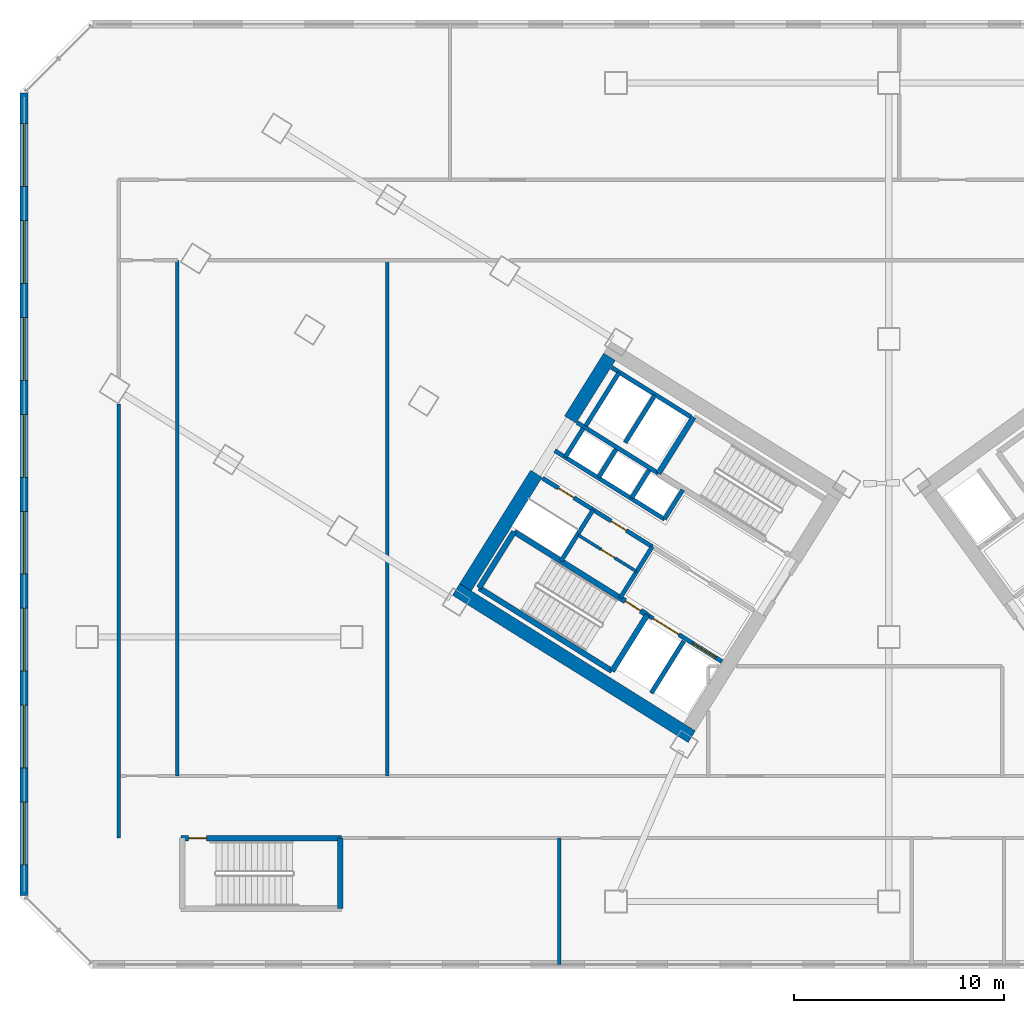
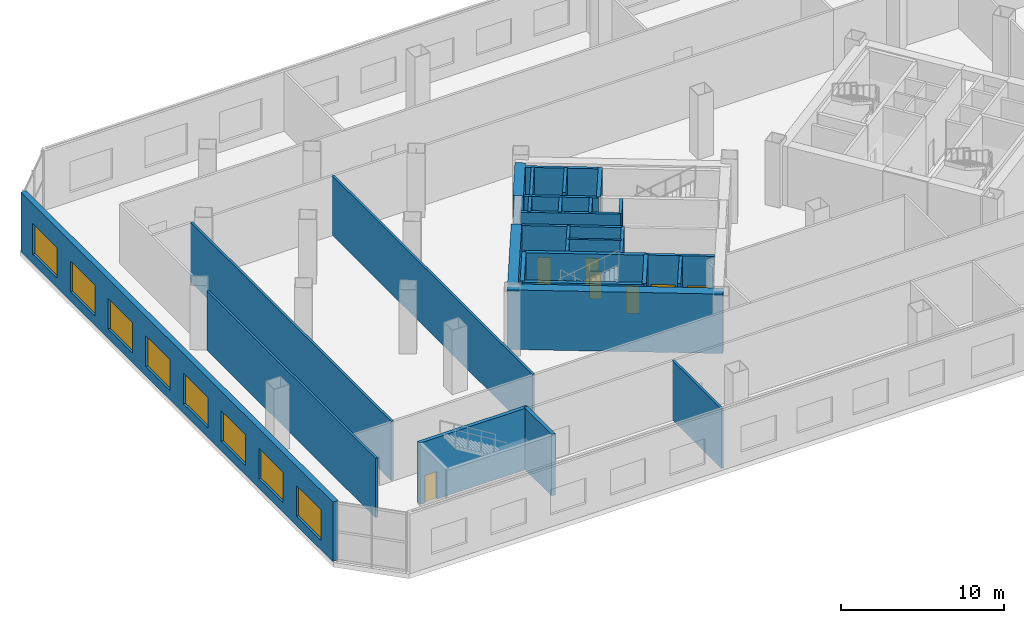
# One storey, part 10 of 22: 30 walls, 8 windows, 7 doors, 15 openings.
"""IFC4 building model written with IfcOpenShell, lengths in metres."""

from ifc_helpers import new_model, si_unit, direction, frame, frame_2d, origin, place, context, subcontext, project, spatial, rectangle, extrude, source, transform, mapped, material, layer, layer_set, type_object, element, fill, save


model = new_model("IFC4")

# Units and contexts
model_context = context("Model", 3, precision=1e-05, world=origin(), true_north=direction((0.0, 1.0)))
body_context = subcontext(model_context, "Body", "Model", "MODEL_VIEW")
ifc_project = project(units=[si_unit("LENGTHUNIT", "METRE"), si_unit("AREAUNIT", "SQUARE_METRE"), si_unit("VOLUMEUNIT", "CUBIC_METRE"), si_unit("PLANEANGLEUNIT", "RADIAN"), si_unit("MASSUNIT", "GRAM", prefix="KILO")], contexts=[model_context])

# Site, building, storey
site_placement = place(None, origin())
site = spatial("IfcSite", under=ifc_project, at=site_placement, CompositionType="ELEMENT")
building_placement = place(site_placement, origin())
building = spatial("IfcBuilding", under=site, at=building_placement, Name="Tlacorven Tower", CompositionType="ELEMENT")
storey_placement = place(building_placement, frame((0.0, 0.0, 5.39990234375)))
storey = spatial("IfcBuildingStorey", under=building, at=storey_placement, Name="L01", CompositionType="ELEMENT", Elevation=5.39990234375)

# Walls
ifc_material_1 = material(Name="Concrete C60/75", Category="concrete")
ifc_layer_1 = layer(ifc_material_1, 0.64990234375)
ifc_layer_set_1 = layer_set([ifc_layer_1], Name="Concrete C60/75")
wall_type_1 = type_object("IfcWallType", Name="WL-COR-650", PredefinedType="SHEAR", material=ifc_layer_set_1)
wall_1_placement = place(storey_placement, frame((33.40869140625, 12.449951171875, 0.0), z_axis=(0.0, 0.0, 1.0), x_axis=(-0.848051132073, 0.529914405721, 0.0)))
element("IfcWall", 1, at=wall_1_placement, inside=storey, type_object=wall_type_1, Name="L01 W core shear wall S2", PredefinedType="SHEAR", context=body_context, shape_type="SweptSolid", body=[
    extrude(rectangle(XDim=13.239990234375, YDim=0.64990234375, at=frame_2d((6.6201171875, 0.0))), origin(), (0.0, 0.0, 1.0), 4.4501953125),
])
wall_2_placement = place(storey_placement, frame((29.49072265625, 30.5517578125, 0.0), z_axis=(0.0, 0.0, 1.0), x_axis=(-0.529893103397, -0.8480644427, 0.0)))
element("IfcWall", 2, at=wall_2_placement, inside=storey, type_object=wall_type_1, Name="L01 W core end wall E2.1", PredefinedType="SHEAR", context=body_context, shape_type="SweptSolid", body=[
    extrude(rectangle(XDim=3.525146484375, YDim=0.64990234375, at=frame_2d((1.7626953125, 0.0))), origin(), (0.0, 0.0, 1.0), 4.4501953125),
])
wall_3_placement = place(storey_placement, frame((26.006591796875, 24.975830078125, 0.0), z_axis=(0.0, 0.0, 1.0), x_axis=(-0.529916319127, -0.848049936456, 0.0)))
element("IfcWall", 3, at=wall_3_placement, inside=storey, type_object=wall_type_1, Name="L01 W core end wall E2.2", PredefinedType="SHEAR", context=body_context, shape_type="SweptSolid", body=[
    extrude(rectangle(XDim=6.375, YDim=0.64990234375, at=frame_2d((3.1875, 0.0))), origin(), (0.0, 0.0, 1.0), 4.4501953125),
])
ifc_material_2 = material(Name="Gypsum plasterboard acoustic partition", Category="gypsum")
ifc_layer_2 = layer(ifc_material_2, 0.159912109375)
ifc_layer_set_2 = layer_set([ifc_layer_2], Name="Gypsum plasterboard acoustic partition")
wall_type_2 = type_object("IfcWallType", Name="WL-DEM-160", PredefinedType="PARTITIONING", material=ifc_layer_set_2)
wall_4_placement = place(storey_placement, frame((27.090087890625, 1.60009765625, 0.0), z_axis=(0.0, 0.0, 1.0), x_axis=(0.0, 1.0, 0.0)))
element("IfcWall", 4, at=wall_4_placement, inside=storey, type_object=wall_type_2, Name="L01 partition 70", PredefinedType="PARTITIONING", context=body_context, shape_type="SweptSolid", body=[
    extrude(rectangle(XDim=6.02001953125, YDim=0.159912109375, at=frame_2d((3.010009765625, 0.0))), origin(), (0.0, 0.0, 1.0), 4.440185546875),
])
wall_5_placement = place(storey_placement, frame((6.10009765625, 7.6201171875, 0.0), z_axis=(0.0, 0.0, 1.0), x_axis=(0.0, 1.0, 0.0)))
element("IfcWall", 5, at=wall_5_placement, inside=storey, type_object=wall_type_2, Name="L01 partition 74", PredefinedType="PARTITIONING", context=body_context, shape_type="SweptSolid", body=[
    extrude(rectangle(XDim=20.688720703125, YDim=0.159912109375, at=frame_2d((10.34423828125, 0.0))), origin(), (0.0, 0.0, 1.0), 4.440185546875),
])
for number, where, z_axis, x_axis, name in (
    (6, (8.89990234375, 10.580078125, 0.0), (0.0, 0.0, 1.0), (0.0, 1.0, 0.0), "L01 partition 75"),
    (7, (18.89990234375, 10.580078125, 0.0), (0.0, 0.0, 1.0), (0.0, 1.0, 0.0), "L01 partition 82"),
):
    element("IfcWall", number, at=place(storey_placement, frame(where, z_axis=z_axis, x_axis=x_axis)), inside=storey, type_object=wall_type_2, Name=name, PredefinedType="PARTITIONING", context=body_context, shape_type="SweptSolid", body=[
        extrude(rectangle(XDim=24.56982421875, YDim=0.159912109375, at=frame_2d((12.284912109375, 0.0))), origin(), (0.0, 0.0, 1.0), 4.440185546875),
    ])

# Wall, openings, windows
ifc_material_3 = material(Name="Precast concrete C45/55", Category="concrete")
ifc_layer_3 = layer(ifc_material_3, 0.3798828125)
ifc_layer_set_3 = layer_set([ifc_layer_3], Name="Precast concrete C45/55")
wall_type_3 = type_object("IfcWallType", Name="WL-EXT-380", PredefinedType="STANDARD", material=ifc_layer_set_3)
wall_6_placement = place(storey_placement, frame((1.60009765625, 4.8828125, 0.0), z_axis=(0.0, 0.0, 1.0), x_axis=(0.0, 1.0, 0.0)))
wall_6 = element("IfcWall", 8, at=wall_6_placement, inside=storey, type_object=wall_type_3, Name="L01 Podium Masonry-Frame Facade Wall 2", PredefinedType="STANDARD", context=body_context, shape_type="SweptSolid", body=[
    extrude(rectangle(XDim=38.234375, YDim=0.3798828125, at=frame_2d((19.1171875, 0.0))), origin(), (0.0, 0.0, 1.0), 4.4501953125),
])
opening_1_placement = place(wall_6_placement, frame((1.45849609375, 0.0, 0.699951171875)))
opening_1 = element("IfcOpeningElement", 9, at=opening_1_placement, cuts=wall_6, Name="Opening WN17", PredefinedType="OPENING", context=body_context, shape_type="SweptSolid", body=[
    extrude(rectangle(XDim=3.0, YDim=2.300048828125, at=frame_2d((1.5, 1.14990234375))), frame((0.0, 0.199951171875, 0.0), z_axis=(0.0, -1.0, 0.0), x_axis=(1.0, 0.0, 0.0)), (0.0, 0.0, 1.0), 0.39990234375),
])
opening_2_placement = place(wall_6_placement, frame((6.0751953125, 0.0, 0.699951171875)))
opening_2 = element("IfcOpeningElement", 10, at=opening_2_placement, cuts=wall_6, Name="Opening WN17", PredefinedType="OPENING", context=body_context, shape_type="SweptSolid", body=[
    extrude(rectangle(XDim=3.0, YDim=2.300048828125, at=frame_2d((1.5, 1.14990234375))), frame((0.0, 0.199951171875, 0.0), z_axis=(0.0, -1.0, 0.0), x_axis=(1.0, 0.0, 0.0)), (0.0, 0.0, 1.0), 0.39990234375),
])
opening_3_placement = place(wall_6_placement, frame((10.69189453125, 0.0, 0.699951171875)))
opening_3 = element("IfcOpeningElement", 11, at=opening_3_placement, cuts=wall_6, Name="Opening WN17", PredefinedType="OPENING", context=body_context, shape_type="SweptSolid", body=[
    extrude(rectangle(XDim=3.0, YDim=2.300048828125, at=frame_2d((1.5, 1.14990234375))), frame((0.0, 0.199951171875, 0.0), z_axis=(0.0, -1.0, 0.0), x_axis=(1.0, 0.0, 0.0)), (0.0, 0.0, 1.0), 0.39990234375),
])
opening_4_placement = place(wall_6_placement, frame((15.308837890625, 0.0, 0.699951171875)))
opening_4 = element("IfcOpeningElement", 12, at=opening_4_placement, cuts=wall_6, Name="Opening WN17", PredefinedType="OPENING", context=body_context, shape_type="SweptSolid", body=[
    extrude(rectangle(XDim=3.0, YDim=2.300048828125, at=frame_2d((1.5, 1.14990234375))), frame((0.0, 0.199951171875, 0.0), z_axis=(0.0, -1.0, 0.0), x_axis=(1.0, 0.0, 0.0)), (0.0, 0.0, 1.0), 0.39990234375),
])
opening_5_placement = place(wall_6_placement, frame((19.925537109375, 0.0, 0.699951171875)))
opening_5 = element("IfcOpeningElement", 13, at=opening_5_placement, cuts=wall_6, Name="Opening WN17", PredefinedType="OPENING", context=body_context, shape_type="SweptSolid", body=[
    extrude(rectangle(XDim=3.0, YDim=2.300048828125, at=frame_2d((1.5, 1.14990234375))), frame((0.0, 0.199951171875, 0.0), z_axis=(0.0, -1.0, 0.0), x_axis=(1.0, 0.0, 0.0)), (0.0, 0.0, 1.0), 0.39990234375),
])
opening_6_placement = place(wall_6_placement, frame((24.542236328125, 0.0, 0.699951171875)))
opening_6 = element("IfcOpeningElement", 14, at=opening_6_placement, cuts=wall_6, Name="Opening WN17", PredefinedType="OPENING", context=body_context, shape_type="SweptSolid", body=[
    extrude(rectangle(XDim=3.0, YDim=2.300048828125, at=frame_2d((1.5, 1.14990234375))), frame((0.0, 0.199951171875, 0.0), z_axis=(0.0, -1.0, 0.0), x_axis=(1.0, 0.0, 0.0)), (0.0, 0.0, 1.0), 0.39990234375),
])
opening_7_placement = place(wall_6_placement, frame((29.1591796875, 0.0, 0.699951171875)))
opening_7 = element("IfcOpeningElement", 15, at=opening_7_placement, cuts=wall_6, Name="Opening WN17", PredefinedType="OPENING", context=body_context, shape_type="SweptSolid", body=[
    extrude(rectangle(XDim=3.0, YDim=2.300048828125, at=frame_2d((1.5, 1.14990234375))), frame((0.0, 0.199951171875, 0.0), z_axis=(0.0, -1.0, 0.0), x_axis=(1.0, 0.0, 0.0)), (0.0, 0.0, 1.0), 0.39990234375),
])
opening_8_placement = place(wall_6_placement, frame((33.77587890625, 0.0, 0.699951171875)))
opening_8 = element("IfcOpeningElement", 16, at=opening_8_placement, cuts=wall_6, Name="Opening WN17", PredefinedType="OPENING", context=body_context, shape_type="SweptSolid", body=[
    extrude(rectangle(XDim=3.0, YDim=2.300048828125, at=frame_2d((1.5, 1.14990234375))), frame((0.0, 0.199951171875, 0.0), z_axis=(0.0, -1.0, 0.0), x_axis=(1.0, 0.0, 0.0)), (0.0, 0.0, 1.0), 0.39990234375),
])
ifc_material_4 = material(Name="Dark solar low-E double glazing in anodised aluminium frame", Category="aluminium")
window_type = type_object("IfcWindowType", Name="WN-STN-3000X2600", PartitioningType="SINGLE_PANEL", PredefinedType="WINDOW", material=ifc_material_4)
shared_shape_1 = source(origin(), body_context, "Body", "SweptSolid", [
    extrude(rectangle(XDim=3.0, YDim=2.300048828125, at=frame_2d((1.5, 1.14990234375))), frame((0.0, 0.030029296875, 0.0), z_axis=(0.0, -1.0, 0.0), x_axis=(1.0, 0.0, 0.0)), (0.0, 0.0, 1.0), 0.06005859375),
])
window_1_placement = place(opening_1_placement, origin())
window_1 = element("IfcWindow", 17, at=window_1_placement, inside=storey, type_object=window_type, Name="L01 Podium Recessed Facade Window 2.1", OverallHeight=2.300048828125, OverallWidth=3.0, PartitioningType="SINGLE_PANEL", PredefinedType="WINDOW", context=body_context, shape_type="MappedRepresentation", body=[
    mapped(shared_shape_1, transform((0.0, 0.0, 0.0), scale=1.0)),
])
fill(opening_1, window_1)
window_2_placement = place(opening_2_placement, origin())
window_2 = element("IfcWindow", 18, at=window_2_placement, inside=storey, type_object=window_type, Name="L01 Podium Recessed Facade Window 2.2", OverallHeight=2.300048828125, OverallWidth=3.0, PartitioningType="SINGLE_PANEL", PredefinedType="WINDOW", context=body_context, shape_type="MappedRepresentation", body=[
    mapped(shared_shape_1, transform((0.0, 0.0, 0.0), scale=1.0)),
])
fill(opening_2, window_2)
window_3_placement = place(opening_3_placement, origin())
window_3 = element("IfcWindow", 19, at=window_3_placement, inside=storey, type_object=window_type, Name="L01 Podium Recessed Facade Window 2.3", OverallHeight=2.300048828125, OverallWidth=3.0, PartitioningType="SINGLE_PANEL", PredefinedType="WINDOW", context=body_context, shape_type="MappedRepresentation", body=[
    mapped(shared_shape_1, transform((0.0, 0.0, 0.0), scale=1.0)),
])
fill(opening_3, window_3)
window_4_placement = place(opening_4_placement, origin())
window_4 = element("IfcWindow", 20, at=window_4_placement, inside=storey, type_object=window_type, Name="L01 Podium Recessed Facade Window 2.4", OverallHeight=2.300048828125, OverallWidth=3.0, PartitioningType="SINGLE_PANEL", PredefinedType="WINDOW", context=body_context, shape_type="MappedRepresentation", body=[
    mapped(shared_shape_1, transform((0.0, 0.0, 0.0), scale=1.0)),
])
fill(opening_4, window_4)
window_5_placement = place(opening_5_placement, origin())
window_5 = element("IfcWindow", 21, at=window_5_placement, inside=storey, type_object=window_type, Name="L01 Podium Recessed Facade Window 2.5", OverallHeight=2.300048828125, OverallWidth=3.0, PartitioningType="SINGLE_PANEL", PredefinedType="WINDOW", context=body_context, shape_type="MappedRepresentation", body=[
    mapped(shared_shape_1, transform((0.0, 0.0, 0.0), scale=1.0)),
])
fill(opening_5, window_5)
window_6_placement = place(opening_6_placement, origin())
window_6 = element("IfcWindow", 22, at=window_6_placement, inside=storey, type_object=window_type, Name="L01 Podium Recessed Facade Window 2.6", OverallHeight=2.300048828125, OverallWidth=3.0, PartitioningType="SINGLE_PANEL", PredefinedType="WINDOW", context=body_context, shape_type="MappedRepresentation", body=[
    mapped(shared_shape_1, transform((0.0, 0.0, 0.0), scale=1.0)),
])
fill(opening_6, window_6)
window_7_placement = place(opening_7_placement, origin())
window_7 = element("IfcWindow", 23, at=window_7_placement, inside=storey, type_object=window_type, Name="L01 Podium Recessed Facade Window 2.7", OverallHeight=2.300048828125, OverallWidth=3.0, PartitioningType="SINGLE_PANEL", PredefinedType="WINDOW", context=body_context, shape_type="MappedRepresentation", body=[
    mapped(shared_shape_1, transform((0.0, 0.0, 0.0), scale=1.0)),
])
fill(opening_7, window_7)
window_8_placement = place(opening_8_placement, origin())
window_8 = element("IfcWindow", 24, at=window_8_placement, inside=storey, type_object=window_type, Name="L01 Podium Recessed Facade Window 2.8", OverallHeight=2.300048828125, OverallWidth=3.0, PartitioningType="SINGLE_PANEL", PredefinedType="WINDOW", context=body_context, shape_type="MappedRepresentation", body=[
    mapped(shared_shape_1, transform((0.0, 0.0, 0.0), scale=1.0)),
])
fill(opening_8, window_8)

# Wall, opening, door
ifc_material_5 = material(Name="Moisture-resistant gypsum plumbing wall", Category="gypsum")
ifc_layer_4 = layer(ifc_material_5, 0.139892578125)
ifc_layer_set_4 = layer_set([ifc_layer_4], Name="Moisture-resistant gypsum plumbing wall")
wall_type_4 = type_object("IfcWallType", Name="WL-PLM-140", PredefinedType="PLUMBINGWALL", material=ifc_layer_set_4)
wall_7_placement = place(storey_placement, frame((30.766357421875, 20.3271484375, 0.0), z_axis=(0.0, 0.0, 1.0), x_axis=(-0.848052663127, 0.529911955482, 0.0)))
wall_7 = element("IfcWall", 25, at=wall_7_placement, inside=storey, type_object=wall_type_4, Name="L01 partition 26", PredefinedType="PLUMBINGWALL", context=body_context, shape_type="SweptSolid", body=[
    extrude(rectangle(XDim=3.27978515625, YDim=0.139892578125, at=frame_2d((1.639892578125, 0.0))), origin(), (0.0, 0.0, 1.0), 4.440185546875),
])
opening_9_placement = place(wall_7_placement, frame((1.199951171875, 0.0, 0.0)))
opening_9 = element("IfcOpeningElement", 26, at=opening_9_placement, cuts=wall_7, Name="Opening D22", PredefinedType="OPENING", context=body_context, shape_type="SweptSolid", body=[
    extrude(rectangle(XDim=0.780029296875, YDim=2.050048828125, at=frame_2d((0.39013671875, 1.02490234375))), frame((0.0, 0.080078125, 0.0), z_axis=(0.0, -1.0, 0.0), x_axis=(1.0, 0.0, 0.0)), (0.0, 0.0, 1.0), 0.159912109375),
])
ifc_material_6 = material(Name="Powder-coated aluminium and timber door", Category="wood")
door_type_1 = type_object("IfcDoorType", Name="DR-INT-WET-0780", OperationType="NOTDEFINED", PredefinedType="DOOR", material=ifc_material_6)
shared_shape_2 = source(origin(), body_context, "Body", "SweptSolid", [
    extrude(rectangle(XDim=0.780029296875, YDim=2.050048828125, at=frame_2d((0.39013671875, 1.02490234375))), frame((0.0, 0.02490234375, 0.0), z_axis=(0.0, -1.0, 0.0), x_axis=(1.0, 0.0, 0.0)), (0.0, 0.0, 1.0), 0.050048828125),
])
door_1_placement = place(opening_9_placement, origin())
door_1 = element("IfcDoor", 27, at=door_1_placement, inside=storey, type_object=door_type_1, Name="L01 door 008", OperationType="SINGLE_SWING_RIGHT", OverallHeight=2.050048828125, OverallWidth=0.780029296875, PredefinedType="DOOR", context=body_context, shape_type="MappedRepresentation", body=[
    mapped(shared_shape_2, transform((0.0, 0.0, 0.0), scale=1.0)),
])
fill(opening_9, door_1)

# Wall, openings, doors
ifc_material_7 = material(Name="Concrete C40/50", Category="concrete")
ifc_layer_5 = layer(ifc_material_7, 0.199951171875)
ifc_layer_set_5 = layer_set([ifc_layer_5], Name="Concrete C40/50")
wall_type_5 = type_object("IfcWallType", Name="WL-SHF-200", PredefinedType="STANDARD", material=ifc_layer_set_5)
wall_8_placement = place(storey_placement, frame((34.84814453125, 16.03125, 0.0), z_axis=(0.0, 0.0, 1.0), x_axis=(-0.848044042236, 0.529925751807, 0.0)))
wall_8 = element("IfcWall", 28, at=wall_8_placement, inside=storey, type_object=wall_type_5, Name="L01 Core W Firefighting Lift Shaft Front Wall", PredefinedType="STANDARD", context=body_context, shape_type="SweptSolid", body=[
    extrude(rectangle(XDim=4.197998046875, YDim=0.199951171875, at=frame_2d((2.09912109375, 0.0))), origin(), (0.0, 0.0, 1.0), 4.440185546875),
])
opening_10_placement = place(wall_8_placement, frame((0.347900390625, 0.0, 0.0)))
opening_10 = element("IfcOpeningElement", 29, at=opening_10_placement, cuts=wall_8, Name="Opening LD03", PredefinedType="OPENING", context=body_context, shape_type="SweptSolid", body=[
    extrude(rectangle(XDim=1.300048828125, YDim=2.199951171875, at=frame_2d((0.64990234375, 1.10009765625))), frame((0.0, 0.10986328125, 0.0), z_axis=(0.0, -1.0, 0.0), x_axis=(1.0, 0.0, 0.0)), (0.0, 0.0, 1.0), 0.219970703125),
])
opening_11_placement = place(wall_8_placement, frame((2.423095703125, 0.0, 0.0)))
opening_11 = element("IfcOpeningElement", 30, at=opening_11_placement, cuts=wall_8, Name="Opening LD04", PredefinedType="OPENING", context=body_context, shape_type="SweptSolid", body=[
    extrude(rectangle(XDim=1.449951171875, YDim=2.25, at=frame_2d((0.72509765625, 1.125))), frame((0.0, 0.10986328125, 0.0), z_axis=(0.0, -1.0, 0.0), x_axis=(1.0, 0.0, 0.0)), (0.0, 0.0, 1.0), 0.219970703125),
])
ifc_material_8 = material(Name="Fire-rated steel door assembly", Category="steel")
door_type_2 = type_object("IfcDoorType", Name="DR-LFT-SLID-1300", OperationType="DOUBLE_DOOR_SLIDING", PredefinedType="DOOR", material=ifc_material_8)
shared_shape_3 = source(origin(), body_context, "Body", "SweptSolid", [
    extrude(rectangle(XDim=1.300048828125, YDim=2.199951171875, at=frame_2d((0.64990234375, 1.10009765625))), frame((0.0, 0.02490234375, 0.0), z_axis=(0.0, -1.0, 0.0), x_axis=(1.0, 0.0, 0.0)), (0.0, 0.0, 1.0), 0.050048828125),
])
door_2_placement = place(opening_10_placement, origin())
door_2 = element("IfcDoor", 31, at=door_2_placement, inside=storey, type_object=door_type_2, Name="L01 Lift FFL-W1 Sliding Landing Door", OperationType="DOUBLE_DOOR_SLIDING", OverallHeight=2.199951171875, OverallWidth=1.300048828125, PredefinedType="DOOR", context=body_context, shape_type="MappedRepresentation", body=[
    mapped(shared_shape_3, transform((0.0, 0.0, 0.0), scale=1.0)),
])
fill(opening_10, door_2)
door_type_3 = type_object("IfcDoorType", Name="DR-LFT-SLID-1450", OperationType="DOUBLE_DOOR_SLIDING", PredefinedType="DOOR", material=ifc_material_8)
shared_shape_4 = source(origin(), body_context, "Body", "SweptSolid", [
    extrude(rectangle(XDim=1.449951171875, YDim=2.25, at=frame_2d((0.72509765625, 1.125))), frame((0.0, 0.02490234375, 0.0), z_axis=(0.0, -1.0, 0.0), x_axis=(1.0, 0.0, 0.0)), (0.0, 0.0, 1.0), 0.050048828125),
])
door_3_placement = place(opening_11_placement, origin())
door_3 = element("IfcDoor", 32, at=door_3_placement, inside=storey, type_object=door_type_3, Name="L01 Lift SVL-W1 Sliding Landing Door", OperationType="DOUBLE_DOOR_SLIDING", OverallHeight=2.25, OverallWidth=1.449951171875, PredefinedType="DOOR", context=body_context, shape_type="MappedRepresentation", body=[
    mapped(shared_shape_4, transform((0.0, 0.0, 0.0), scale=1.0)),
])
fill(opening_11, door_3)

# Walls
wall_9_placement = place(storey_placement, frame((31.82177734375, 24.99755859375, 0.0), z_axis=(0.0, 0.0, 1.0), x_axis=(-0.848058348634, 0.529902856485, 0.0)))
element("IfcWall", 33, at=wall_9_placement, inside=storey, type_object=wall_type_5, Name="L01 Core W South Lift Shaft Wall", PredefinedType="STANDARD", context=body_context, shape_type="SweptSolid", body=[
    extrude(rectangle(XDim=4.568115234375, YDim=0.199951171875, at=frame_2d((2.2841796875, 0.0))), origin(), (0.0, 0.0, 1.0), 4.440185546875),
])
wall_10_placement = place(storey_placement, frame((32.108154296875, 22.81396484375, 0.0), z_axis=(0.0, 0.0, 1.0), x_axis=(-0.848047283855, 0.529920564185, 0.0)))
element("IfcWall", 34, at=wall_10_placement, inside=storey, type_object=wall_type_5, Name="L01 partition 11", PredefinedType="STANDARD", context=body_context, shape_type="SweptSolid", body=[
    extrude(rectangle(XDim=6.16015625, YDim=0.199951171875, at=frame_2d((3.080078125, 0.0))), origin(), (0.0, 0.0, 1.0), 4.440185546875),
])
wall_11_placement = place(storey_placement, frame((32.982421875, 24.21337890625, 0.0), z_axis=(0.0, 0.0, 1.0), x_axis=(-0.529839334948, -0.84809803628, 0.0)))
element("IfcWall", 35, at=wall_11_placement, inside=storey, type_object=wall_type_5, Name="L01 partition 12", PredefinedType="STANDARD", context=body_context, shape_type="SweptSolid", body=[
    extrude(rectangle(XDim=1.650146484375, YDim=0.199951171875, at=frame_2d((0.8251953125, 0.0))), origin(), (0.0, 0.0, 1.0), 4.440185546875),
])
wall_12_placement = place(storey_placement, frame((33.02880859375, 17.003173828125, 0.0), z_axis=(0.0, 0.0, 1.0), x_axis=(-0.529916267533, -0.848049968695, 0.0)))
element("IfcWall", 36, at=wall_12_placement, inside=storey, type_object=wall_type_5, Name="L01 partition 13", PredefinedType="STANDARD", context=body_context, shape_type="SweptSolid", body=[
    extrude(rectangle(XDim=2.919921875, YDim=0.199951171875, at=frame_2d((1.4599609375, 0.0))), origin(), (0.0, 0.0, 1.0), 4.440185546875),
])
wall_13_placement = place(storey_placement, frame((31.645263671875, 28.716064453125, 0.0), z_axis=(0.0, 0.0, 1.0), x_axis=(-0.52986693015, -0.848080795876, 0.0)))
element("IfcWall", 37, at=wall_13_placement, inside=storey, type_object=wall_type_5, Name="L01 partition 14", PredefinedType="STANDARD", context=body_context, shape_type="SweptSolid", body=[
    extrude(rectangle(XDim=2.659912109375, YDim=0.199951171875, at=frame_2d((1.330078125, 0.0))), origin(), (0.0, 0.0, 1.0), 4.440185546875),
])
wall_14_placement = place(storey_placement, frame((33.362548828125, 27.690185546875, 0.0), z_axis=(0.0, 0.0, 1.0), x_axis=(-0.848053806312, 0.529910125964, 0.0)))
element("IfcWall", 38, at=wall_14_placement, inside=storey, type_object=wall_type_5, Name="L01 partition 16", PredefinedType="STANDARD", context=body_context, shape_type="SweptSolid", body=[
    extrude(rectangle(XDim=4.44775390625, YDim=0.199951171875, at=frame_2d((2.223876953125, 0.0))), origin(), (0.0, 0.0, 1.0), 4.440185546875),
])
wall_15_placement = place(storey_placement, frame((29.94287109375, 29.803466796875, 0.0), z_axis=(0.0, 0.0, 1.0), x_axis=(-0.529874576144, -0.848076018737, 0.0)))
element("IfcWall", 39, at=wall_15_placement, inside=storey, type_object=wall_type_5, Name="L01 partition 17", PredefinedType="STANDARD", context=body_context, shape_type="SweptSolid", body=[
    extrude(rectangle(XDim=3.0, YDim=0.199951171875, at=frame_2d((1.5, 0.0))), origin(), (0.0, 0.0, 1.0), 4.440185546875),
])
for number, where, z_axis, x_axis, name in (
    (40, (31.378662109375, 25.156494140625, 0.0), (0.0, 0.0, 1.0), (-0.529998940003, -0.847998304005, 0.0), "L01 partition 18"),
    (41, (29.80126953125, 26.14208984375, 0.0), (0.0, 0.0, 1.0), (-0.529998940003, -0.847998304005, 0.0), "L01 partition 19"),
):
    element("IfcWall", number, at=place(storey_placement, frame(where, z_axis=z_axis, x_axis=x_axis)), inside=storey, type_object=wall_type_5, Name=name, PredefinedType="STANDARD", context=body_context, shape_type="SweptSolid", body=[
        extrude(rectangle(XDim=1.580078125, YDim=0.199951171875, at=frame_2d((0.7900390625, 0.0))), origin(), (0.0, 0.0, 1.0), 4.440185546875),
    ])
wall_16_placement = place(storey_placement, frame((28.234375, 27.144775390625, 0.0), z_axis=(0.0, 0.0, 1.0), x_axis=(-0.529904106539, -0.848057567547, 0.0)))
element("IfcWall", 42, at=wall_16_placement, inside=storey, type_object=wall_type_5, Name="L01 partition 20", PredefinedType="STANDARD", context=body_context, shape_type="SweptSolid", body=[
    extrude(rectangle(XDim=1.619873046875, YDim=0.199951171875, at=frame_2d((0.81005859375, 0.0))), origin(), (0.0, 0.0, 1.0), 4.440185546875),
])
for number, where, z_axis, x_axis, name in (
    (43, (31.525146484375, 21.503662109375, 0.0), (0.0, 0.0, 1.0), (-0.529907497854, -0.848055448493, 0.0), "L01 partition 21"),
    (44, (28.709716796875, 23.26318359375, 0.0), (0.0, 0.0, 1.0), (-0.529907497854, -0.848055448493, 0.0), "L01 partition 22"),
):
    element("IfcWall", number, at=place(storey_placement, frame(where, z_axis=z_axis, x_axis=x_axis)), inside=storey, type_object=wall_type_5, Name=name, PredefinedType="STANDARD", context=body_context, shape_type="SweptSolid", body=[
        extrude(rectangle(XDim=2.8798828125, YDim=0.199951171875, at=frame_2d((1.43994140625, 0.0))), origin(), (0.0, 0.0, 1.0), 4.440185546875),
    ])

# Wall, openings, doors
wall_17_placement = place(storey_placement, frame((31.525146484375, 21.503662109375, 0.0), z_axis=(0.0, 0.0, 1.0), x_axis=(-0.848044998614, 0.529924221305, 0.0)))
wall_17 = element("IfcWall", 45, at=wall_17_placement, inside=storey, type_object=wall_type_5, Name="L01 Core W North Service Wall", PredefinedType="STANDARD", context=body_context, shape_type="SweptSolid", body=[
    extrude(rectangle(XDim=6.16796875, YDim=0.199951171875, at=frame_2d((3.083984375, 0.0))), origin(), (0.0, 0.0, 1.0), 4.440185546875),
])
opening_12_placement = place(wall_17_placement, frame((4.39990234375, 0.0, 0.0)))
opening_12 = element("IfcOpeningElement", 46, at=opening_12_placement, cuts=wall_17, Name="Opening D19", PredefinedType="OPENING", context=body_context, shape_type="SweptSolid", body=[
    extrude(rectangle(XDim=0.860107421875, YDim=2.050048828125, at=frame_2d((0.43017578125, 1.02490234375))), frame((0.0, 0.10986328125, 0.0), z_axis=(0.0, -1.0, 0.0), x_axis=(1.0, 0.0, 0.0)), (0.0, 0.0, 1.0), 0.219970703125),
])
opening_13_placement = place(wall_17_placement, frame((1.449951171875, 0.0, 0.0)))
opening_13 = element("IfcOpeningElement", 47, at=opening_13_placement, cuts=wall_17, Name="Opening D19", PredefinedType="OPENING", context=body_context, shape_type="SweptSolid", body=[
    extrude(rectangle(XDim=0.860107421875, YDim=2.050048828125, at=frame_2d((0.43017578125, 1.02490234375))), frame((0.0, 0.10986328125, 0.0), z_axis=(0.0, -1.0, 0.0), x_axis=(1.0, 0.0, 0.0)), (0.0, 0.0, 1.0), 0.219970703125),
])
door_type_4 = type_object("IfcDoorType", Name="DR-RSR-FD60-0860", OperationType="NOTDEFINED", PredefinedType="DOOR", material=ifc_material_8)
shared_shape_5 = source(origin(), body_context, "Body", "SweptSolid", [
    extrude(rectangle(XDim=0.860107421875, YDim=2.050048828125, at=frame_2d((0.43017578125, 1.02490234375))), frame((0.0, 0.02490234375, 0.0), z_axis=(0.0, -1.0, 0.0), x_axis=(1.0, 0.0, 0.0)), (0.0, 0.0, 1.0), 0.050048828125),
])
door_4_placement = place(opening_12_placement, frame((0.860107421875, 0.0, 0.0), z_axis=(0.0, 0.0, 1.0), x_axis=(-1.0, 0.0, 0.0)))
door_4 = element("IfcDoor", 48, at=door_4_placement, inside=storey, type_object=door_type_4, Name="L01 Electrical Riser Access Door W", OperationType="SINGLE_SWING_RIGHT", OverallHeight=2.050048828125, OverallWidth=0.860107421875, PredefinedType="DOOR", context=body_context, shape_type="MappedRepresentation", body=[
    mapped(shared_shape_5, transform((0.0, 0.0, 0.0), scale=1.0)),
])
fill(opening_12, door_4)
door_5_placement = place(opening_13_placement, frame((0.860107421875, 0.0, 0.0), z_axis=(0.0, 0.0, 1.0), x_axis=(-1.0, 0.0, 0.0)))
door_5 = element("IfcDoor", 49, at=door_5_placement, inside=storey, type_object=door_type_4, Name="L01 Cleaner Store Access Door W", OperationType="SINGLE_SWING_LEFT", OverallHeight=2.050048828125, OverallWidth=0.860107421875, PredefinedType="DOOR", context=body_context, shape_type="MappedRepresentation", body=[
    mapped(shared_shape_5, transform((0.0, 0.0, 0.0), scale=1.0)),
])
fill(opening_13, door_5)

# Wall
ifc_material_9 = material(Name="Concrete C50/60", Category="concrete")
ifc_layer_6 = layer(ifc_material_9, 0.260009765625)
ifc_layer_set_6 = layer_set([ifc_layer_6], Name="Concrete C50/60")
wall_type_6 = type_object("IfcWallType", Name="WL-STW-260", PredefinedType="SHEAR", material=ifc_layer_set_6)
wall_18_placement = place(storey_placement, frame((29.60498046875, 15.581298828125, 0.0), z_axis=(0.0, 0.0, 1.0), x_axis=(-0.848036911448, 0.529937163087, 0.0)))
element("IfcWall", 50, at=wall_18_placement, inside=storey, type_object=wall_type_6, Name="L01 Stair W1 Far Shear Wall", PredefinedType="SHEAR", context=body_context, shape_type="SweptSolid", body=[
    extrude(rectangle(XDim=7.4599609375, YDim=0.260009765625, at=frame_2d((3.72998046875, 0.0))), origin(), (0.0, 0.0, 1.0), 4.4501953125),
])

# Wall, opening, door
wall_19_placement = place(storey_placement, frame((31.279541015625, 18.26123046875, 0.0), z_axis=(0.0, 0.0, 1.0), x_axis=(-0.848051618787, 0.529913626805, 0.0)))
wall_19 = element("IfcWall", 51, at=wall_19_placement, inside=storey, type_object=wall_type_6, Name="L01 Stair W1 Lobby Shear Wall", PredefinedType="SHEAR", context=body_context, shape_type="SweptSolid", body=[
    extrude(rectangle(XDim=7.4599609375, YDim=0.260009765625, at=frame_2d((3.72998046875, 0.0))), origin(), (0.0, 0.0, 1.0), 4.4501953125),
])
opening_14_placement = place(wall_19_placement, frame((0.360107421875, 0.0, 0.0)))
opening_14 = element("IfcOpeningElement", 52, at=opening_14_placement, cuts=wall_19, Name="Opening D19", PredefinedType="OPENING", context=body_context, shape_type="SweptSolid", body=[
    extrude(rectangle(XDim=0.860107421875, YDim=2.050048828125, at=frame_2d((0.43017578125, 1.02490234375))), frame((0.0, 0.14013671875, 0.0), z_axis=(0.0, -1.0, 0.0), x_axis=(1.0, 0.0, 0.0)), (0.0, 0.0, 1.0), 0.280029296875),
])
door_6_placement = place(opening_14_placement, frame((0.860107421875, 0.0, 0.0), z_axis=(0.0, 0.0, 1.0), x_axis=(-1.0, 0.0, 0.0)))
door_6 = element("IfcDoor", 53, at=door_6_placement, inside=storey, type_object=door_type_4, Name="L01 Exit Stair W1 Fire Door", OperationType="SINGLE_SWING_LEFT", OverallHeight=2.050048828125, OverallWidth=0.860107421875, PredefinedType="DOOR", context=body_context, shape_type="MappedRepresentation", body=[
    mapped(shared_shape_5, transform((0.0, 0.0, 0.0), scale=1.0)),
])
fill(opening_14, door_6)

# Walls
wall_20_placement = place(storey_placement, frame((31.2880859375, 18.255859375, 0.0), z_axis=(0.0, 0.0, 1.0), x_axis=(-0.529943379326, -0.848033026897, 0.0)))
element("IfcWall", 54, at=wall_20_placement, inside=storey, type_object=wall_type_6, Name="L01 Stair W1 West Shear Wall", PredefinedType="SHEAR", context=body_context, shape_type="SweptSolid", body=[
    extrude(rectangle(XDim=3.159912109375, YDim=0.260009765625, at=frame_2d((1.580078125, 0.0))), origin(), (0.0, 0.0, 1.0), 4.4501953125),
])
for number, where, z_axis, x_axis, name in (
    (55, (24.944580078125, 22.2197265625, 0.0), (0.0, 0.0, 1.0), (-0.529908658664, -0.84805472316, 0.0), "L01 Stair W1 East Shear Wall"),
    (56, (33.496337890625, 27.677490234375, 0.0), (0.0, 0.0, 1.0), (-0.529908658664, -0.84805472316, 0.0), "L01 Stair W2 East Shear Wall"),
):
    element("IfcWall", number, at=place(storey_placement, frame(where, z_axis=z_axis, x_axis=x_axis)), inside=storey, type_object=wall_type_6, Name=name, PredefinedType="SHEAR", context=body_context, shape_type="SweptSolid", body=[
        extrude(rectangle(XDim=3.16015625, YDim=0.260009765625, at=frame_2d((1.580078125, 0.0))), origin(), (0.0, 0.0, 1.0), 4.4501953125),
    ])

# Wall, opening, door
wall_21_placement = place(storey_placement, frame((9.070068359375, 7.6201171875, 0.0), z_axis=(0.0, 0.0, 1.0), x_axis=(1.0, 0.0, 0.0)))
wall_21 = element("IfcWall", 57, at=wall_21_placement, inside=storey, type_object=wall_type_6, Name="L01 Stair P1 North Wall", PredefinedType="SHEAR", context=body_context, shape_type="SweptSolid", body=[
    extrude(rectangle(XDim=7.659912109375, YDim=0.260009765625, at=frame_2d((3.830078125, 0.0))), origin(), (0.0, 0.0, 1.0), 4.60009765625),
])
opening_15_placement = place(wall_21_placement, frame((0.360107421875, 0.0, 0.0)))
opening_15 = element("IfcOpeningElement", 58, at=opening_15_placement, cuts=wall_21, Name="Opening D19", PredefinedType="OPENING", context=body_context, shape_type="SweptSolid", body=[
    extrude(rectangle(XDim=0.860107421875, YDim=2.050048828125, at=frame_2d((0.43017578125, 1.02490234375))), frame((0.0, 0.14013671875, 0.0), z_axis=(0.0, -1.0, 0.0), x_axis=(1.0, 0.0, 0.0)), (0.0, 0.0, 1.0), 0.280029296875),
])
door_7_placement = place(opening_15_placement, origin())
door_7 = element("IfcDoor", 59, at=door_7_placement, inside=storey, type_object=door_type_4, Name="L01 door 022", OperationType="SINGLE_SWING_LEFT", OverallHeight=2.050048828125, OverallWidth=0.860107421875, PredefinedType="DOOR", context=body_context, shape_type="MappedRepresentation", body=[
    mapped(shared_shape_5, transform((0.0, 0.0, 0.0), scale=1.0)),
])
fill(opening_15, door_7)

# Wall
wall_22_placement = place(storey_placement, frame((16.659912109375, 4.260009765625, 0.0), z_axis=(0.0, 0.0, 1.0), x_axis=(0.0, 1.0, 0.0)))
element("IfcWall", 60, at=wall_22_placement, inside=storey, type_object=wall_type_6, Name="L01 Stair P1 East Wall", PredefinedType="SHEAR", context=body_context, shape_type="SweptSolid", body=[
    extrude(rectangle(XDim=3.360107421875, YDim=0.260009765625, at=frame_2d((1.68017578125, 0.0))), origin(), (0.0, 0.0, 1.0), 4.60009765625),
])

save(model, "model.ifc")
